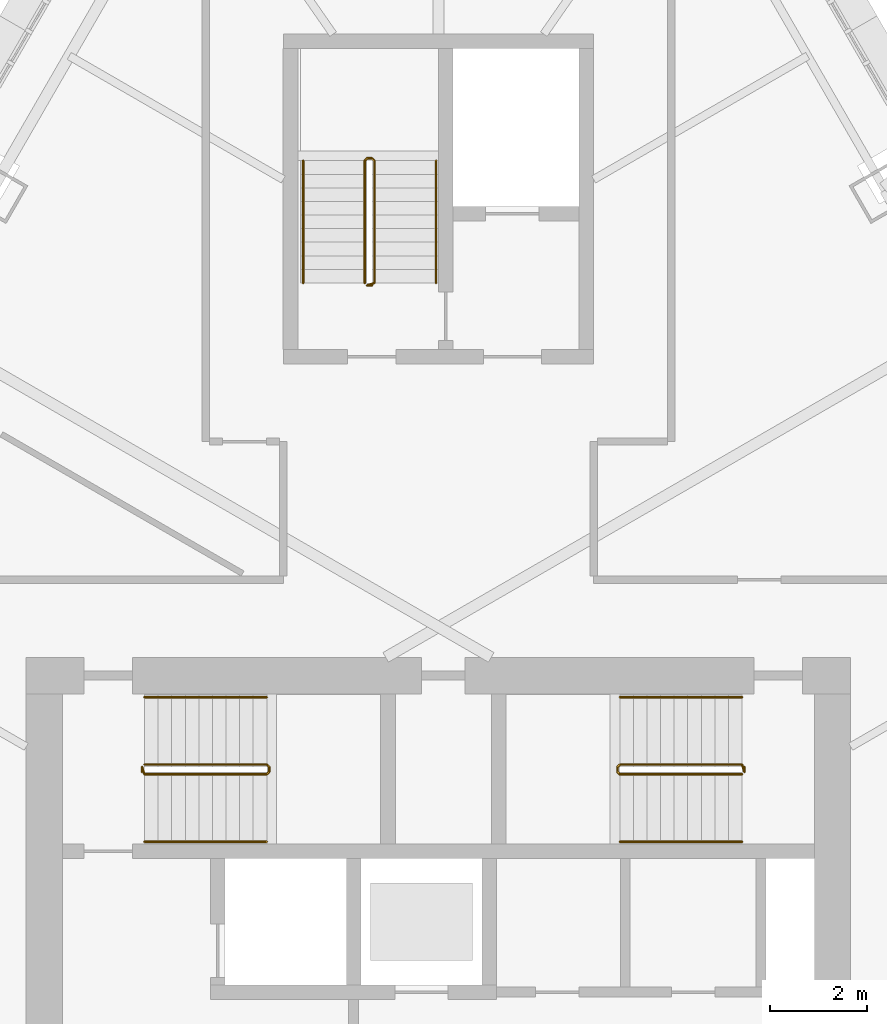
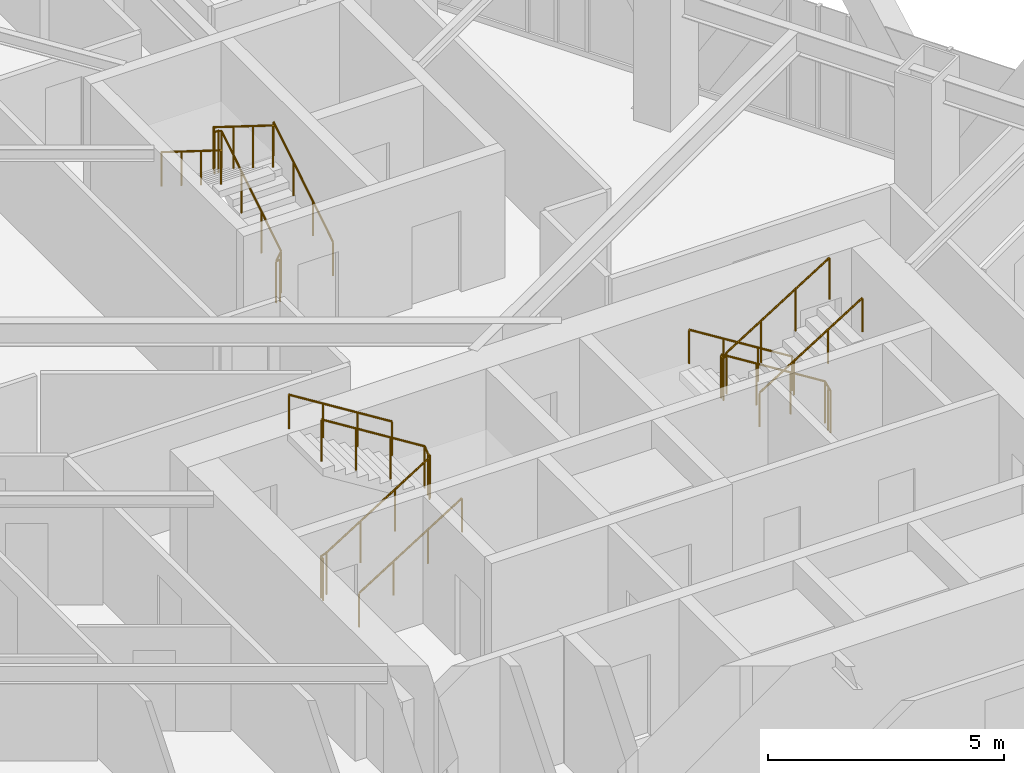
# One storey, part 20 of 21: 9 railings.
"""IFC4 building model written with IfcOpenShell, lengths in metres."""

from ifc_helpers import new_model, si_unit, direction, frame, origin, origin_2d, place, context, subcontext, project, spatial, circle, extrude, material, type_object, element, save


model = new_model("IFC4")

# Units and contexts
model_context = context("Model", 3, precision=1e-05, world=origin(), true_north=direction((0.0, 1.0)))
body_context = subcontext(model_context, "Body", "Model", "MODEL_VIEW")
ifc_project = project(units=[si_unit("LENGTHUNIT", "METRE"), si_unit("AREAUNIT", "SQUARE_METRE"), si_unit("VOLUMEUNIT", "CUBIC_METRE"), si_unit("PLANEANGLEUNIT", "RADIAN"), si_unit("MASSUNIT", "GRAM", prefix="KILO")], contexts=[model_context])

# Site, building, storey
site_placement = place(None, origin())
site = spatial("IfcSite", under=ifc_project, at=site_placement, CompositionType="ELEMENT")
building_placement = place(site_placement, origin())
building = spatial("IfcBuilding", under=site, at=building_placement, Name="Firuza Gate Tower and Library", CompositionType="ELEMENT")
storey_placement = place(building_placement, frame((0.0, 0.0, 281.10009765625)))
storey = spatial("IfcBuildingStorey", under=building, at=storey_placement, Name="L67", CompositionType="ELEMENT", Elevation=281.10009765625)

# Railings
ifc_material_1 = material(Name="Steel S355", Category="steel")
railing_type_1 = type_object("IfcRailingType", Name="Stair guard 1100", PredefinedType="GUARDRAIL", material=ifc_material_1)
railing_1_placement = place(storey_placement, frame((68.889892578125, 79.389892578125, 0.0)))
element("IfcRailing", 1, at=railing_1_placement, inside=storey, type_object=railing_type_1, Name="L67 ST1 stair guard 1", PredefinedType="GUARDRAIL", context=body_context, shape_type="SweptSolid", body=[
    extrude(circle(Radius=0.02392578125, at=origin_2d()), frame((0.0, 0.0, 1.076171875), z_axis=(0.0, 1.0, 0.0), x_axis=(-1.0, 0.0, 0.0)), (0.0, 0.0, 1.0), 0.10009765625),
    extrude(circle(Radius=0.02392578125, at=origin_2d()), frame((0.0, 0.10009765625, 1.076171875), z_axis=(0.212383695785, -0.636115069328, 0.741788908207), x_axis=(0.948528701346, 0.316691178788, 0.0)), (0.0, 0.0, 1.0), 0.235595703125),
    extrude(circle(Radius=0.02392578125, at=origin_2d()), frame((0.050048828125, -0.0498046875, 1.2509765625), z_axis=(0.847970611238, 0.0, 0.530043245855), x_axis=(0.0, 1.0, 0.0)), (0.0, 0.0, 1.0), 2.971923828125),
    extrude(circle(Radius=0.02392578125, at=origin_2d()), frame((2.570068359375, -0.0498046875, 2.826171875), z_axis=(0.708833529934, 0.705375805398, 0.0), x_axis=(-0.705375805398, 0.708833529934, 0.0)), (0.0, 0.0, 1.0), 0.070556640625),
    extrude(circle(Radius=0.02392578125, at=origin_2d()), frame((2.6201171875, 0.0, 2.826171875), z_axis=(0.0, 1.0, 0.0), x_axis=(-1.0, 0.0, 0.0)), (0.0, 0.0, 1.0), 0.10009765625),
    extrude(circle(Radius=0.02392578125, at=origin_2d()), frame((2.6201171875, 0.10009765625, 2.826171875), z_axis=(-0.265383341853, 0.265383341853, 0.926899867156), x_axis=(-0.707106781187, -0.707106781187, 0.0)), (0.0, 0.0, 1.0), 0.1884765625),
    extrude(circle(Radius=0.02392578125, at=origin_2d()), frame((2.570068359375, 0.150146484375, 3.0009765625), z_axis=(-0.847970611238, 0.0, 0.530043245855), x_axis=(0.0, -1.0, 0.0)), (0.0, 0.0, 1.0), 2.971923828125),
    extrude(circle(Radius=0.02099609375, at=origin_2d()), origin(), (0.0, 0.0, 1.0), 1.052001953125),
    extrude(circle(Radius=0.02099609375, at=origin_2d()), frame((0.0, 0.10009765625, 0.0)), (0.0, 0.0, 1.0), 1.052001953125),
    extrude(circle(Radius=0.02099609375, at=origin_2d()), frame((0.050048828125, -0.0498046875, 0.1748046875)), (0.0, 0.0, 1.0), 1.052001953125),
    extrude(circle(Radius=0.02099609375, at=origin_2d()), frame((0.89013671875, -0.0498046875, 0.699951171875)), (0.0, 0.0, 1.0), 1.052001953125),
    extrude(circle(Radius=0.02099609375, at=origin_2d()), frame((1.72998046875, -0.0498046875, 1.224853515625)), (0.0, 0.0, 1.0), 1.052001953125),
    extrude(circle(Radius=0.02099609375, at=origin_2d()), frame((2.570068359375, -0.0498046875, 1.75)), (0.0, 0.0, 1.0), 1.052001953125),
    extrude(circle(Radius=0.02099609375, at=origin_2d()), frame((2.6201171875, 0.0, 1.75)), (0.0, 0.0, 1.0), 1.052001953125),
    extrude(circle(Radius=0.02099609375, at=origin_2d()), frame((2.6201171875, 0.10009765625, 1.75)), (0.0, 0.0, 1.0), 1.052001953125),
    extrude(circle(Radius=0.02099609375, at=origin_2d()), frame((2.570068359375, 0.150146484375, 1.9248046875)), (0.0, 0.0, 1.0), 1.052001953125),
    extrude(circle(Radius=0.02099609375, at=origin_2d()), frame((1.72998046875, 0.150146484375, 2.449951171875)), (0.0, 0.0, 1.0), 1.052001953125),
    extrude(circle(Radius=0.02099609375, at=origin_2d()), frame((0.89013671875, 0.150146484375, 2.974853515625)), (0.0, 0.0, 1.0), 1.052001953125),
    extrude(circle(Radius=0.02099609375, at=origin_2d()), frame((0.050048828125, 0.150146484375, 3.5)), (0.0, 0.0, 1.0), 1.052001953125),
])
railing_2_placement = place(storey_placement, frame((81.31005859375, 79.489990234375, 0.0)))
element("IfcRailing", 2, at=railing_2_placement, inside=storey, type_object=railing_type_1, Name="L67 ST2 stair guard 1", PredefinedType="GUARDRAIL", context=body_context, shape_type="SweptSolid", body=[
    extrude(circle(Radius=0.02392578125, at=origin_2d()), frame((0.0, 0.0, 1.076171875), z_axis=(0.0, -1.0, 0.0), x_axis=(1.0, 0.0, 0.0)), (0.0, 0.0, 1.0), 0.10009765625),
    extrude(circle(Radius=0.02392578125, at=origin_2d()), frame((0.0, -0.10009765625, 1.076171875), z_axis=(-0.21224375372, 0.63673126116, 0.741300134944), x_axis=(-0.948683298051, -0.316227766017, 0.0)), (0.0, 0.0, 1.0), 0.23583984375),
    extrude(circle(Radius=0.02392578125, at=origin_2d()), frame((-0.050048828125, 0.050048828125, 1.2509765625), z_axis=(-0.847970611238, 0.0, 0.530043245855), x_axis=(0.0, -1.0, 0.0)), (0.0, 0.0, 1.0), 2.971923828125),
    extrude(circle(Radius=0.02392578125, at=origin_2d()), frame((-2.570068359375, 0.050048828125, 2.826171875), z_axis=(-0.707106781187, -0.707106781187, 0.0), x_axis=(0.707106781187, -0.707106781187, 0.0)), (0.0, 0.0, 1.0), 0.07080078125),
    extrude(circle(Radius=0.02392578125, at=origin_2d()), frame((-2.6201171875, 0.0, 2.826171875), z_axis=(0.0, -1.0, 0.0), x_axis=(1.0, 0.0, 0.0)), (0.0, 0.0, 1.0), 0.10009765625),
    extrude(circle(Radius=0.02392578125, at=origin_2d()), frame((-2.6201171875, -0.10009765625, 2.826171875), z_axis=(0.265474339444, -0.264179342666, 0.927217692888), x_axis=(0.705375805398, 0.708833529934, 0.0)), (0.0, 0.0, 1.0), 0.1884765625),
    extrude(circle(Radius=0.02392578125, at=origin_2d()), frame((-2.570068359375, -0.14990234375, 3.0009765625), z_axis=(0.847970611238, 0.0, 0.530043245855), x_axis=(0.0, 1.0, 0.0)), (0.0, 0.0, 1.0), 2.971923828125),
    extrude(circle(Radius=0.02099609375, at=origin_2d()), origin(), (0.0, 0.0, 1.0), 1.052001953125),
    extrude(circle(Radius=0.02099609375, at=origin_2d()), frame((0.0, -0.10009765625, 0.0)), (0.0, 0.0, 1.0), 1.052001953125),
    extrude(circle(Radius=0.02099609375, at=origin_2d()), frame((-0.050048828125, 0.050048828125, 0.1748046875)), (0.0, 0.0, 1.0), 1.052001953125),
    extrude(circle(Radius=0.02099609375, at=origin_2d()), frame((-0.89013671875, 0.050048828125, 0.699951171875)), (0.0, 0.0, 1.0), 1.052001953125),
    extrude(circle(Radius=0.02099609375, at=origin_2d()), frame((-1.72998046875, 0.050048828125, 1.224853515625)), (0.0, 0.0, 1.0), 1.052001953125),
    extrude(circle(Radius=0.02099609375, at=origin_2d()), frame((-2.570068359375, 0.050048828125, 1.75)), (0.0, 0.0, 1.0), 1.052001953125),
    extrude(circle(Radius=0.02099609375, at=origin_2d()), frame((-2.6201171875, 0.0, 1.75)), (0.0, 0.0, 1.0), 1.052001953125),
    extrude(circle(Radius=0.02099609375, at=origin_2d()), frame((-2.6201171875, -0.10009765625, 1.75)), (0.0, 0.0, 1.0), 1.052001953125),
    extrude(circle(Radius=0.02099609375, at=origin_2d()), frame((-2.570068359375, -0.14990234375, 1.9248046875)), (0.0, 0.0, 1.0), 1.052001953125),
    extrude(circle(Radius=0.02099609375, at=origin_2d()), frame((-1.72998046875, -0.14990234375, 2.449951171875)), (0.0, 0.0, 1.0), 1.052001953125),
    extrude(circle(Radius=0.02099609375, at=origin_2d()), frame((-0.89013671875, -0.14990234375, 2.974853515625)), (0.0, 0.0, 1.0), 1.052001953125),
    extrude(circle(Radius=0.02099609375, at=origin_2d()), frame((-0.050048828125, -0.14990234375, 3.5)), (0.0, 0.0, 1.0), 1.052001953125),
])
railing_3_placement = place(storey_placement, frame((73.6298828125, 89.419921875, 0.0)))
element("IfcRailing", 3, at=railing_3_placement, inside=storey, type_object=railing_type_1, Name="L67 ST3 stair guard 1", PredefinedType="GUARDRAIL", context=body_context, shape_type="SweptSolid", body=[
    extrude(circle(Radius=0.02392578125, at=origin_2d()), frame((0.0, 0.0, 1.076171875), z_axis=(-1.0, 0.0, 0.0), x_axis=(0.0, -1.0, 0.0)), (0.0, 0.0, 1.0), 0.099853515625),
    extrude(circle(Radius=0.02392578125, at=origin_2d()), frame((-0.099853515625, 0.0, 1.076171875), z_axis=(0.636115069328, 0.212383695785, 0.741788908207), x_axis=(-0.316691178788, 0.948528701346, 0.0)), (0.0, 0.0, 1.0), 0.235595703125),
    extrude(circle(Radius=0.02392578125, at=origin_2d()), frame((0.050048828125, 0.050048828125, 1.2509765625), z_axis=(0.0, 0.847970611238, 0.530043245855), x_axis=(-1.0, 0.0, 0.0)), (0.0, 0.0, 1.0), 2.971923828125),
    extrude(circle(Radius=0.02392578125, at=origin_2d()), frame((0.050048828125, 2.570068359375, 2.826171875), z_axis=(-0.707106781187, 0.707106781187, 0.0), x_axis=(-0.707106781187, -0.707106781187, 0.0)), (0.0, 0.0, 1.0), 0.07080078125),
    extrude(circle(Radius=0.02392578125, at=origin_2d()), frame((0.0, 2.6201171875, 2.826171875), z_axis=(-1.0, 0.0, 0.0), x_axis=(0.0, -1.0, 0.0)), (0.0, 0.0, 1.0), 0.099853515625),
    extrude(circle(Radius=0.02392578125, at=origin_2d()), frame((-0.099853515625, 2.6201171875, 2.826171875), z_axis=(-0.265383341853, -0.265383341853, 0.926899867156), x_axis=(0.707106781187, -0.707106781187, 0.0)), (0.0, 0.0, 1.0), 0.1884765625),
    extrude(circle(Radius=0.02392578125, at=origin_2d()), frame((-0.14990234375, 2.570068359375, 3.0009765625), z_axis=(0.0, -0.847970611238, 0.530043245855), x_axis=(1.0, 0.0, 0.0)), (0.0, 0.0, 1.0), 2.971923828125),
    extrude(circle(Radius=0.02099609375, at=origin_2d()), origin(), (0.0, 0.0, 1.0), 1.052001953125),
    extrude(circle(Radius=0.02099609375, at=origin_2d()), frame((-0.099853515625, 0.0, 0.0)), (0.0, 0.0, 1.0), 1.052001953125),
    extrude(circle(Radius=0.02099609375, at=origin_2d()), frame((0.050048828125, 0.050048828125, 0.1748046875)), (0.0, 0.0, 1.0), 1.052001953125),
    extrude(circle(Radius=0.02099609375, at=origin_2d()), frame((0.050048828125, 0.89013671875, 0.699951171875)), (0.0, 0.0, 1.0), 1.052001953125),
    extrude(circle(Radius=0.02099609375, at=origin_2d()), frame((0.050048828125, 1.72998046875, 1.224853515625)), (0.0, 0.0, 1.0), 1.052001953125),
    extrude(circle(Radius=0.02099609375, at=origin_2d()), frame((0.050048828125, 2.570068359375, 1.75)), (0.0, 0.0, 1.0), 1.052001953125),
    extrude(circle(Radius=0.02099609375, at=origin_2d()), frame((0.0, 2.6201171875, 1.75)), (0.0, 0.0, 1.0), 1.052001953125),
    extrude(circle(Radius=0.02099609375, at=origin_2d()), frame((-0.099853515625, 2.6201171875, 1.75)), (0.0, 0.0, 1.0), 1.052001953125),
    extrude(circle(Radius=0.02099609375, at=origin_2d()), frame((-0.14990234375, 2.570068359375, 1.9248046875)), (0.0, 0.0, 1.0), 1.052001953125),
    extrude(circle(Radius=0.02099609375, at=origin_2d()), frame((-0.14990234375, 1.72998046875, 2.449951171875)), (0.0, 0.0, 1.0), 1.052001953125),
    extrude(circle(Radius=0.02099609375, at=origin_2d()), frame((-0.14990234375, 0.89013671875, 2.974853515625)), (0.0, 0.0, 1.0), 1.052001953125),
    extrude(circle(Radius=0.02099609375, at=origin_2d()), frame((-0.14990234375, 0.050048828125, 3.5)), (0.0, 0.0, 1.0), 1.052001953125),
])
ifc_material_2 = material(Name="Steel S355", Category="steel")
railing_type_2 = type_object("IfcRailingType", Name="Stair handrail 900", PredefinedType="HANDRAIL", material=ifc_material_2)
railing_4_placement = place(storey_placement, frame((68.93994140625, 77.949951171875, 0.1748046875)))
element("IfcRailing", 4, at=railing_4_placement, inside=storey, type_object=railing_type_2, Name="L67 ST1 stair handrail 1", PredefinedType="HANDRAIL", context=body_context, shape_type="SweptSolid", body=[
    extrude(circle(Radius=0.02392578125, at=origin_2d()), frame((0.0, 0.0, 0.8759765625), z_axis=(0.847970611238, 0.0, 0.530043245855), x_axis=(0.0, 1.0, 0.0)), (0.0, 0.0, 1.0), 2.971923828125),
    extrude(circle(Radius=0.02099609375, at=origin_2d()), origin(), (0.0, 0.0, 1.0), 0.851806640625),
    extrude(circle(Radius=0.02099609375, at=origin_2d()), frame((0.840087890625, 0.0, 0.525146484375)), (0.0, 0.0, 1.0), 0.851806640625),
    extrude(circle(Radius=0.02099609375, at=origin_2d()), frame((1.679931640625, 0.0, 1.050048828125)), (0.0, 0.0, 1.0), 0.851806640625),
    extrude(circle(Radius=0.02099609375, at=origin_2d()), frame((2.52001953125, 0.0, 1.5751953125)), (0.0, 0.0, 1.0), 0.851806640625),
])
for number, where, name in (
    (5, (71.4599609375, 80.929931640625, 1.9248046875), "L67 ST1 stair handrail 2"),
    (6, (81.260009765625, 80.929931640625, 0.1748046875), "L67 ST2 stair handrail 1"),
):
    element("IfcRailing", number, at=place(storey_placement, frame(where)), inside=storey, type_object=railing_type_2, Name=name, PredefinedType="HANDRAIL", context=body_context, shape_type="SweptSolid", body=[
        extrude(circle(Radius=0.02392578125, at=origin_2d()), frame((0.0, 0.0, 0.8759765625), z_axis=(-0.847970611238, 0.0, 0.530043245855), x_axis=(0.0, -1.0, 0.0)), (0.0, 0.0, 1.0), 2.971923828125),
        extrude(circle(Radius=0.02099609375, at=origin_2d()), origin(), (0.0, 0.0, 1.0), 0.851806640625),
        extrude(circle(Radius=0.02099609375, at=origin_2d()), frame((-0.840087890625, 0.0, 0.525146484375)), (0.0, 0.0, 1.0), 0.851806640625),
        extrude(circle(Radius=0.02099609375, at=origin_2d()), frame((-1.679931640625, 0.0, 1.050048828125)), (0.0, 0.0, 1.0), 0.851806640625),
        extrude(circle(Radius=0.02099609375, at=origin_2d()), frame((-2.52001953125, 0.0, 1.5751953125)), (0.0, 0.0, 1.0), 0.851806640625),
    ])
railing_5_placement = place(storey_placement, frame((78.739990234375, 77.949951171875, 1.9248046875)))
element("IfcRailing", 7, at=railing_5_placement, inside=storey, type_object=railing_type_2, Name="L67 ST2 stair handrail 2", PredefinedType="HANDRAIL", context=body_context, shape_type="SweptSolid", body=[
    extrude(circle(Radius=0.02392578125, at=origin_2d()), frame((0.0, 0.0, 0.8759765625), z_axis=(0.847970611238, 0.0, 0.530043245855), x_axis=(0.0, 1.0, 0.0)), (0.0, 0.0, 1.0), 2.971923828125),
    extrude(circle(Radius=0.02099609375, at=origin_2d()), origin(), (0.0, 0.0, 1.0), 0.851806640625),
    extrude(circle(Radius=0.02099609375, at=origin_2d()), frame((0.840087890625, 0.0, 0.525146484375)), (0.0, 0.0, 1.0), 0.851806640625),
    extrude(circle(Radius=0.02099609375, at=origin_2d()), frame((1.679931640625, 0.0, 1.050048828125)), (0.0, 0.0, 1.0), 0.851806640625),
    extrude(circle(Radius=0.02099609375, at=origin_2d()), frame((2.52001953125, 0.0, 1.5751953125)), (0.0, 0.0, 1.0), 0.851806640625),
])
railing_6_placement = place(storey_placement, frame((74.949951171875, 89.469970703125, 0.1748046875)))
element("IfcRailing", 8, at=railing_6_placement, inside=storey, type_object=railing_type_2, Name="L67 ST3 stair handrail 1", PredefinedType="HANDRAIL", context=body_context, shape_type="SweptSolid", body=[
    extrude(circle(Radius=0.02392578125, at=origin_2d()), frame((0.0, 0.0, 0.8759765625), z_axis=(0.0, 0.847970611238, 0.530043245855), x_axis=(-1.0, 0.0, 0.0)), (0.0, 0.0, 1.0), 2.971923828125),
    extrude(circle(Radius=0.02099609375, at=origin_2d()), origin(), (0.0, 0.0, 1.0), 0.851806640625),
    extrude(circle(Radius=0.02099609375, at=origin_2d()), frame((0.0, 0.840087890625, 0.525146484375)), (0.0, 0.0, 1.0), 0.851806640625),
    extrude(circle(Radius=0.02099609375, at=origin_2d()), frame((0.0, 1.679931640625, 1.050048828125)), (0.0, 0.0, 1.0), 0.851806640625),
    extrude(circle(Radius=0.02099609375, at=origin_2d()), frame((0.0, 2.52001953125, 1.5751953125)), (0.0, 0.0, 1.0), 0.851806640625),
])
railing_7_placement = place(storey_placement, frame((72.2099609375, 91.989990234375, 1.9248046875)))
element("IfcRailing", 9, at=railing_7_placement, inside=storey, type_object=railing_type_2, Name="L67 ST3 stair handrail 2", PredefinedType="HANDRAIL", context=body_context, shape_type="SweptSolid", body=[
    extrude(circle(Radius=0.02392578125, at=origin_2d()), frame((0.0, 0.0, 0.8759765625), z_axis=(0.0, -0.847970611238, 0.530043245855), x_axis=(1.0, 0.0, 0.0)), (0.0, 0.0, 1.0), 2.971923828125),
    extrude(circle(Radius=0.02099609375, at=origin_2d()), origin(), (0.0, 0.0, 1.0), 0.851806640625),
    extrude(circle(Radius=0.02099609375, at=origin_2d()), frame((0.0, -0.840087890625, 0.525146484375)), (0.0, 0.0, 1.0), 0.851806640625),
    extrude(circle(Radius=0.02099609375, at=origin_2d()), frame((0.0, -1.679931640625, 1.050048828125)), (0.0, 0.0, 1.0), 0.851806640625),
    extrude(circle(Radius=0.02099609375, at=origin_2d()), frame((0.0, -2.52001953125, 1.5751953125)), (0.0, 0.0, 1.0), 0.851806640625),
])

save(model, "model.ifc")
